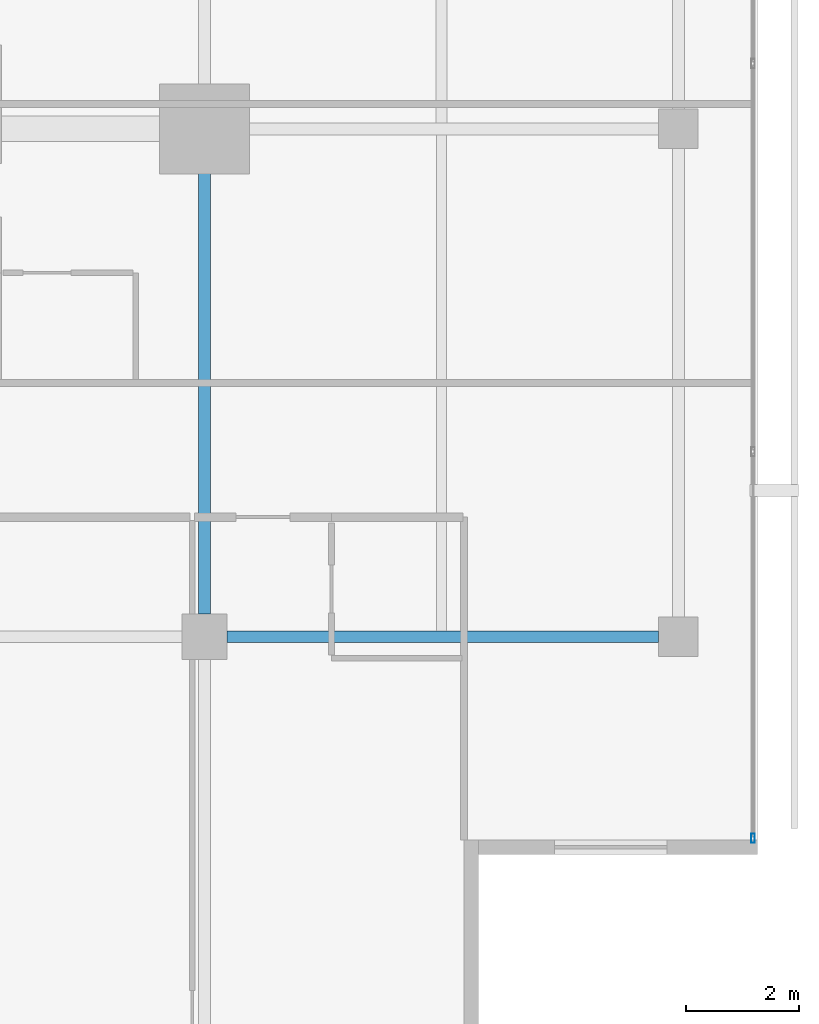
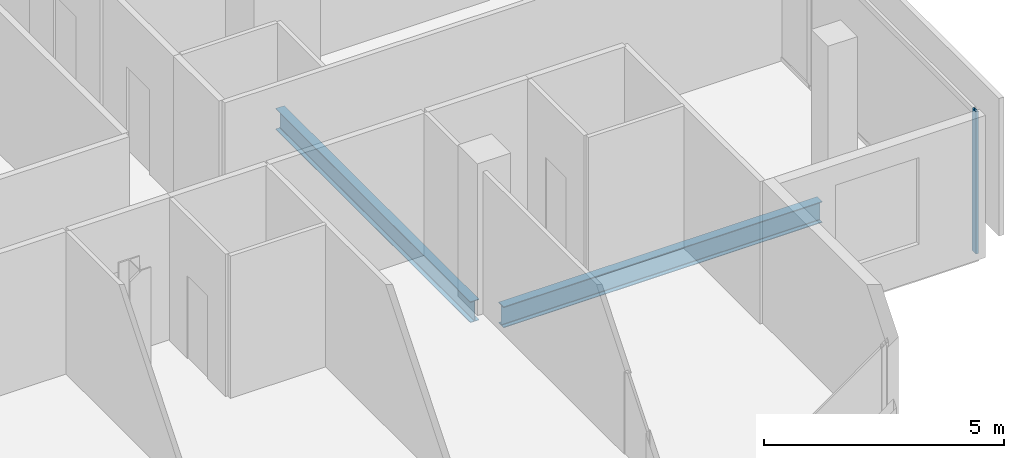
# One storey, part 11 of 26: 2 beams, 1 member, 1 element without a shape of its own.
"""IFC4 building model written with IfcOpenShell, lengths in metres."""

from ifc_helpers import new_model, si_unit, direction, frame, origin, origin_2d, place, context, subcontext, project, spatial, hollow_rectangle, i_section, extrude, material, layer, layer_set, material_profile, profile_set, type_object, element, aggregate, save


model = new_model("IFC4")

# Units and contexts
model_context = context("Model", 3, precision=1e-05, world=origin(), true_north=direction((0.0, 1.0)))
body_context = subcontext(model_context, "Body", "Model", "MODEL_VIEW")
ifc_project = project(units=[si_unit("LENGTHUNIT", "METRE"), si_unit("AREAUNIT", "SQUARE_METRE"), si_unit("VOLUMEUNIT", "CUBIC_METRE"), si_unit("PLANEANGLEUNIT", "RADIAN"), si_unit("MASSUNIT", "GRAM", prefix="KILO")], contexts=[model_context])

# Site, building, storey
site_placement = place(None, origin())
site = spatial("IfcSite", under=ifc_project, at=site_placement, CompositionType="ELEMENT")
building_placement = place(site_placement, origin())
building = spatial("IfcBuilding", under=site, at=building_placement, Name="Maruvema Waterfront Hotel and Observation Tower", CompositionType="ELEMENT")
storey_placement = place(building_placement, frame((0.0, 0.0, 258.64990234375)))
storey = spatial("IfcBuildingStorey", under=building, at=storey_placement, Name="L63", CompositionType="ELEMENT", Elevation=258.64990234375)

# Curtain wall, member
ifc_material_1 = material(Name="Anodised bronze aluminium and solar-control low-E IGU", Category="aluminium")
ifc_layer = layer(ifc_material_1, 0.159912109375, Name="Zone 3 Champagne Inner Thermal Curtain Wall System CW-04")
ifc_layer_set = layer_set([ifc_layer], Name="Anodised bronze aluminium and solar-control low-E IGU")
curtain_wall_type = type_object("IfcCurtainWallType", Name="Zone 3 Champagne Inner Thermal Curtain Wall System CW-04", PredefinedType="USERDEFINED", material=ifc_layer_set)
curtain_wall_placement = place(storey_placement, origin())
curtain_wall = element("IfcCurtainWall", 1, at=curtain_wall_placement, inside=storey, type_object=curtain_wall_type, Name="L63 Curtain Wall CW-L63-E", ObjectType="UNITISED CURTAIN WALL", PredefinedType="USERDEFINED")
ifc_material_2 = material(Name="Anodised architectural bronze aluminium", Category="aluminium")
ifc_material_profile_1 = material_profile(ifc_material_2, hollow_rectangle(XDim=0.06494140625, YDim=0.1650390625, WallThickness=0.00390625, at=origin_2d()), Name="ALU-M65x165")
ifc_profile_set_1 = profile_set([ifc_material_profile_1], Name="Anodised architectural bronze aluminium")
member_type = type_object("IfcMemberType", Name="Curtain Wall Primary Mullion ALU-M65x165", PredefinedType="MULLION", material=ifc_profile_set_1)
member_placement = place(storey_placement, frame((60.1201171875, 14.429931640625, 0.0), z_axis=(0.0, 0.0, 1.0), x_axis=(-1.0, 0.0, 0.0)))
member = element("IfcMember", 2, at=member_placement, type_object=member_type, Name="CW-04 mullion 1", PredefinedType="MULLION", context=body_context, shape_type="SweptSolid", body=[
    extrude(hollow_rectangle(XDim=0.06494140625, YDim=0.1650390625, WallThickness=0.00390625, at=origin_2d()), origin(), (0.0, 0.0, 1.0), 3.610107421875),
])
aggregate(curtain_wall, [member])

# Beams
ifc_material_3 = material(Name="Steel ASTM A572 Grade 50", Category="steel")
ifc_material_profile_2 = material_profile(ifc_material_3, i_section(OverallWidth=0.208984375, OverallDepth=0.532958984375, WebThickness=0.01025390625, FlangeThickness=0.015625, FilletRadius=0.014892578125, at=origin_2d()), Name="W530x92.0")
ifc_profile_set_2 = profile_set([ifc_material_profile_2], Name="Steel ASTM A572 Grade 50")
beam_type = type_object("IfcBeamType", Name="Primary Floor Girder W530x92.0", PredefinedType="BEAM", material=ifc_profile_set_2)
beam_1_placement = place(storey_placement, frame((50.800048828125, 18.0, -0.50634765625), z_axis=(1.0, 0.0, 0.0), x_axis=(0.0, 1.0, 0.0)))
element("IfcBeam", 3, at=beam_1_placement, inside=storey, type_object=beam_type, Name="L63 Floor Girder EW-08", PredefinedType="BEAM", context=body_context, shape_type="SweptSolid", body=[
    extrude(i_section(OverallWidth=0.208984375, OverallDepth=0.532958984375, WebThickness=0.01025390625, FlangeThickness=0.015625, FilletRadius=0.014892578125, at=origin_2d()), origin(), (0.0, 0.0, 1.0), 7.64990234375),
])
beam_2_placement = place(storey_placement, frame((50.39990234375, 18.39990234375, -0.50634765625), z_axis=(0.0, 1.0, 0.0), x_axis=(-1.0, 0.0, 0.0)))
element("IfcBeam", 4, at=beam_2_placement, inside=storey, type_object=beam_type, Name="L63 Floor Girder NS-13", PredefinedType="BEAM", context=body_context, shape_type="SweptSolid", body=[
    extrude(i_section(OverallWidth=0.208984375, OverallDepth=0.532958984375, WebThickness=0.01025390625, FlangeThickness=0.015625, FilletRadius=0.014892578125, at=origin_2d()), origin(), (0.0, 0.0, 1.0), 8.10009765625),
])

save(model, "model.ifc")
